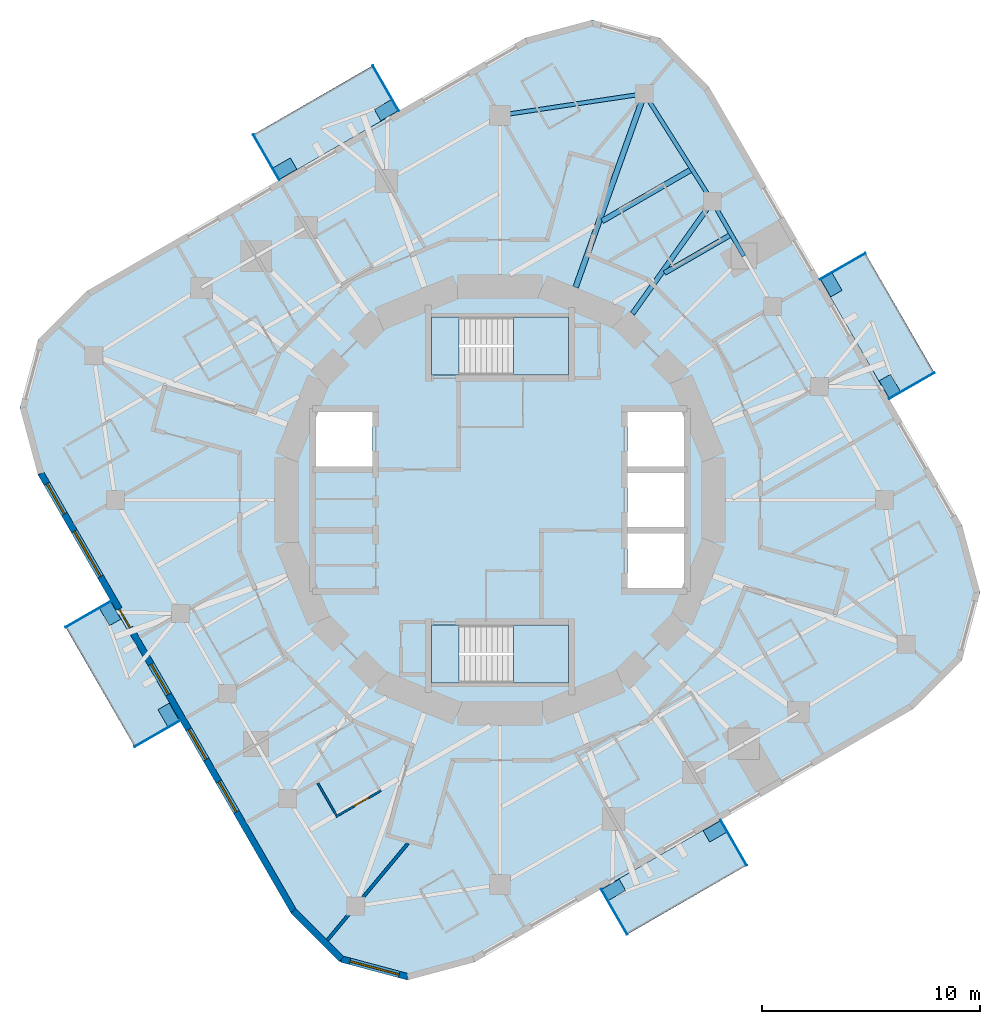
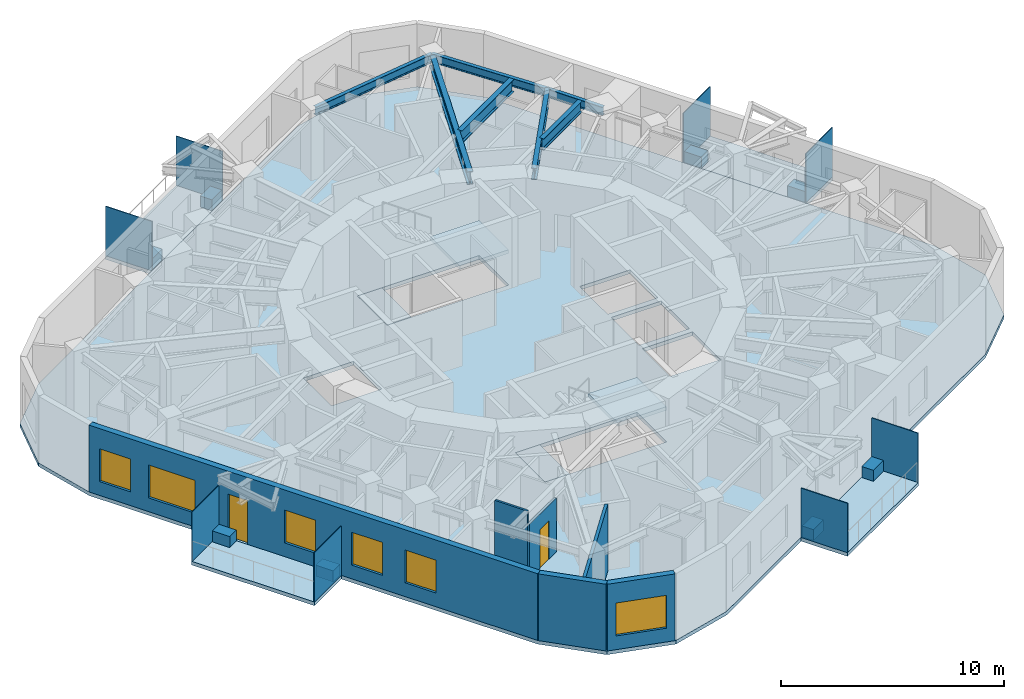
# One storey, part 3 of 11: 16 plates, 9 slabs, 7 beams, 6 walls, 6 windows, 2 doors, 8 openings, 2 elements without a shape of their own.
"""IFC4 building model written with IfcOpenShell, lengths in metres."""

from ifc_helpers import new_model, si_unit, direction, frame, frame_2d, origin, origin_2d, place, context, subcontext, project, spatial, polyline, rectangle, i_section, outline, extrude, material, layer, layer_set, material_profile, profile_set, type_object, element, fill, aggregate, save


model = new_model("IFC4")

# Units and contexts
model_context = context("Model", 3, precision=1e-05, world=origin(), true_north=direction((0.0, 1.0)))
body_context = subcontext(model_context, "Body", "Model", "MODEL_VIEW")
ifc_project = project(units=[si_unit("LENGTHUNIT", "METRE"), si_unit("AREAUNIT", "SQUARE_METRE"), si_unit("VOLUMEUNIT", "CUBIC_METRE"), si_unit("PLANEANGLEUNIT", "RADIAN"), si_unit("MASSUNIT", "GRAM", prefix="KILO")], contexts=[model_context])

# Site, building, storey
site_placement = place(None, origin())
site = spatial("IfcSite", under=ifc_project, at=site_placement, CompositionType="ELEMENT")
building_placement = place(site_placement, origin())
building = spatial("IfcBuilding", under=site, at=building_placement, Name="Nakasero Lantern House", CompositionType="ELEMENT")
storey_placement = place(building_placement, frame((0.0, 0.0, 238.5)))
storey = spatial("IfcBuildingStorey", under=building, at=storey_placement, Name="L58", CompositionType="ELEMENT", Elevation=238.5)

# Beams
ifc_material_1 = material(Name="Steel S355", Category="steel")
ifc_material_profile_1 = material_profile(ifc_material_1, i_section(OverallWidth=0.22900390625, OverallDepth=0.6123046875, WebThickness=0.011962890625, FlangeThickness=0.01953125, FilletRadius=0.0126953125, at=origin_2d()), Name="UB 610x229x125")
ifc_profile_set_1 = profile_set([ifc_material_profile_1], Name="Steel S355")
beam_type_1 = type_object("IfcBeamType", Name="Infill beam UB 610x229x125", PredefinedType="JOIST", material=ifc_profile_set_1)
beam_1_placement = place(storey_placement, frame((7.552001953125, 10.42236328125, 3.343994140625), z_axis=(0.866006607564, 0.500032554596, 0.0), x_axis=(-0.500032554596, 0.866006607564, 0.0)))
element("IfcBeam", 1, at=beam_1_placement, inside=storey, type_object=beam_type_1, Name="Infill beam L59 08.3", PredefinedType="JOIST", context=body_context, shape_type="SweptSolid", body=[
    extrude(i_section(OverallWidth=0.22900390625, OverallDepth=0.6123046875, WebThickness=0.011962890625, FlangeThickness=0.01953125, FilletRadius=0.0126953125, at=origin_2d()), origin(), (0.0, 0.0, 1.0), 3.452880859375),
])
ifc_material_2 = material(Name="Steel S355", Category="steel")
ifc_material_profile_2 = material_profile(ifc_material_2, i_section(OverallWidth=0.253662109375, OverallDepth=0.68359375, WebThickness=0.012451171875, FlangeThickness=0.01904296875, FilletRadius=0.01513671875, at=origin_2d()), Name="UB 686x254x140")
ifc_profile_set_2 = profile_set([ifc_material_profile_2], Name="Steel S355")
beam_type_2 = type_object("IfcBeamType", Name="Infill beam UB 686x254x140", PredefinedType="JOIST", material=ifc_profile_set_2)
beam_2_placement = place(storey_placement, frame((4.691162109375, 12.81201171875, 3.308349609375), z_axis=(0.866030607649, 0.499990986534, 0.0), x_axis=(-0.499990986534, 0.866030607649, 0.0)))
element("IfcBeam", 2, at=beam_2_placement, inside=storey, type_object=beam_type_2, Name="Infill beam L59 09.3", PredefinedType="JOIST", context=body_context, shape_type="SweptSolid", body=[
    extrude(i_section(OverallWidth=0.253662109375, OverallDepth=0.68359375, WebThickness=0.012451171875, FlangeThickness=0.01904296875, FilletRadius=0.01513671875, at=origin_2d()), origin(), (0.0, 0.0, 1.0), 4.66943359375),
])
ifc_material_3 = material(Name="Steel S355", Category="steel")
ifc_material_profile_3 = material_profile(ifc_material_3, i_section(OverallWidth=0.22900390625, OverallDepth=0.6123046875, WebThickness=0.011962890625, FlangeThickness=0.01953125, FilletRadius=0.0126953125, at=origin_2d()), Name="UB 610x229x125")
ifc_profile_set_3 = profile_set([ifc_material_profile_3], Name="Steel S355")
beam_type_3 = type_object("IfcBeamType", Name="Primary beam UB 610x229x125, span 6 to 9 m", PredefinedType="BEAM", material=ifc_profile_set_3)
beam_3_placement = place(storey_placement, frame((9.75048828125, 13.711669921875, 3.343994140625), z_axis=(-0.579504973637, -0.814968702178, 0.0), x_axis=(0.814968702178, -0.579504973637, 0.0)))
element("IfcBeam", 3, at=beam_3_placement, inside=storey, type_object=beam_type_3, Name="Primary beam L59 B6-C07", PredefinedType="BEAM", context=body_context, shape_type="SweptSolid", body=[
    extrude(i_section(OverallWidth=0.22900390625, OverallDepth=0.6123046875, WebThickness=0.011962890625, FlangeThickness=0.01953125, FilletRadius=0.0126953125, at=origin_2d()), origin(), (0.0, 0.0, 1.0), 6.320556640625),
])
ifc_material_4 = material(Name="Steel S355", Category="steel")
ifc_material_profile_4 = material_profile(ifc_material_4, i_section(OverallWidth=0.255859375, OverallDepth=0.69287109375, WebThickness=0.014404296875, FlangeThickness=0.023681640625, FilletRadius=0.01513671875, at=origin_2d()), Name="UB 686x254x170")
ifc_profile_set_4 = profile_set([ifc_material_profile_4], Name="Steel S355")
beam_type_4 = type_object("IfcBeamType", Name="Primary beam UB 686x254x170, span 9 to 12 m", PredefinedType="BEAM", material=ifc_profile_set_4)
beam_4_placement = place(storey_placement, frame((6.63525390625, 18.661376953125, 3.303466796875), z_axis=(-0.335006604588, -0.942215779364, 0.0), x_axis=(0.942215779364, -0.335006604588, 0.0)))
element("IfcBeam", 4, at=beam_4_placement, inside=storey, type_object=beam_type_4, Name="Primary beam L59 B6-C08", PredefinedType="BEAM", context=body_context, shape_type="SweptSolid", body=[
    extrude(i_section(OverallWidth=0.255859375, OverallDepth=0.69287109375, WebThickness=0.014404296875, FlangeThickness=0.023681640625, FilletRadius=0.01513671875, at=origin_2d()), origin(), (0.0, 0.0, 1.0), 9.4345703125),
])
ifc_material_5 = material(Name="Steel S355", Category="steel")
ifc_material_profile_5 = material_profile(ifc_material_5, i_section(OverallWidth=0.18994140625, OverallDepth=0.453369140625, WebThickness=0.008544921875, FlangeThickness=0.0126953125, FilletRadius=0.01025390625, at=origin_2d()), Name="UB 457x191x67")
ifc_profile_set_5 = profile_set([ifc_material_profile_5], Name="Steel S355")
beam_type_5 = type_object("IfcBeamType", Name="Ring beam UB 457x191x67", PredefinedType="BEAM", material=ifc_profile_set_5)
beam_5_placement = place(storey_placement, frame((9.75048828125, 13.711669921875, 3.42333984375), z_axis=(-0.532660471024, 0.846329027393, 0.0), x_axis=(-0.846329027393, -0.532660471024, 0.0)))
element("IfcBeam", 5, at=beam_5_placement, inside=storey, type_object=beam_type_5, Name="Ring beam L59 B6-C07", PredefinedType="BEAM", context=body_context, shape_type="SweptSolid", body=[
    extrude(i_section(OverallWidth=0.18994140625, OverallDepth=0.453369140625, WebThickness=0.008544921875, FlangeThickness=0.0126953125, FilletRadius=0.01025390625, at=origin_2d()), origin(), (0.0, 0.0, 1.0), 5.848388671875),
])
ifc_material_6 = material(Name="Steel S355", Category="steel")
ifc_material_profile_6 = material_profile(ifc_material_6, i_section(OverallWidth=0.19140625, OverallDepth=0.4599609375, WebThickness=0.010009765625, FlangeThickness=0.01611328125, FilletRadius=0.01025390625, at=origin_2d()), Name="UB 457x191x82")
ifc_profile_set_6 = profile_set([ifc_material_profile_6], Name="Steel S355")
beam_type_6 = type_object("IfcBeamType", Name="Ring beam UB 457x191x82", PredefinedType="BEAM", material=ifc_profile_set_6)
beam_6_placement = place(storey_placement, frame((11.200439453125, 11.200439453125, 3.419921875), z_axis=(-0.500023687443, 0.866011727401, 0.0), x_axis=(-0.866011727401, -0.500023687443, 0.0)))
element("IfcBeam", 6, at=beam_6_placement, inside=storey, type_object=beam_type_6, Name="Ring beam L59 B6-C06", PredefinedType="BEAM", context=body_context, shape_type="SweptSolid", body=[
    extrude(i_section(OverallWidth=0.19140625, OverallDepth=0.4599609375, WebThickness=0.010009765625, FlangeThickness=0.01611328125, FilletRadius=0.01025390625, at=origin_2d()), origin(), (0.0, 0.0, 1.0), 2.899658203125),
])
beam_7_placement = place(storey_placement, frame((6.63525390625, 18.661376953125, 3.419921875), z_axis=(-0.988956095107, -0.148208778253, 0.0), x_axis=(0.148208778253, -0.988956095107, 0.0)))
element("IfcBeam", 7, at=beam_7_placement, inside=storey, type_object=beam_type_6, Name="Ring beam L59 B6-C08", PredefinedType="BEAM", context=body_context, shape_type="SweptSolid", body=[
    extrude(i_section(OverallWidth=0.19140625, OverallDepth=0.4599609375, WebThickness=0.010009765625, FlangeThickness=0.01611328125, FilletRadius=0.01025390625, at=origin_2d()), origin(), (0.0, 0.0, 1.0), 6.70947265625),
])

# Plates
ifc_material_7 = material(Name="Aluminium 6063-T6", Category="aluminium")
ifc_layer_1 = layer(ifc_material_7, 0.60009765625)
ifc_layer_set_1 = layer_set([ifc_layer_1], Name="Balcony planter 600x900")
plate_type_1 = type_object("IfcPlateType", Name="Balcony planter 600x900", PredefinedType="USERDEFINED", material=ifc_layer_set_1)
for number, where, z_axis, x_axis, name in (
    (8, (17.901611328125, 5.2333984375, 0.0), (0.0, 0.0, 1.0), (0.866025403784, 0.5, 0.0), "Balcony PLANTER L58 BAL0A"),
    (9, (15.225830078125, 9.867919921875, 0.0), (0.0, 0.0, 1.0), (0.866025403784, 0.5, 0.0), "Balcony PLANTER L58 BAL0B"),
    (10, (-5.2333984375, 17.901611328125, 0.0), (0.0, 0.0, 1.0), (-0.5, 0.866025403784, 0.0), "Balcony PLANTER L58 BAL1A"),
    (11, (-9.867919921875, 15.225830078125, 0.0), (0.0, 0.0, 1.0), (-0.5, 0.866025403784, 0.0), "Balcony PLANTER L58 BAL1B"),
    (12, (-17.901611328125, -5.2333984375, 0.0), (0.0, 0.0, 1.0), (-0.866025403784, -0.5, 0.0), "Balcony PLANTER L58 BAL2A"),
    (13, (-15.225830078125, -9.867919921875, 0.0), (0.0, 0.0, 1.0), (-0.866025403784, -0.5, 0.0), "Balcony PLANTER L58 BAL2B"),
    (14, (5.2333984375, -17.901611328125, 0.0), (0.0, 0.0, 1.0), (0.5, -0.866025403784, 0.0), "Balcony PLANTER L58 BAL3A"),
    (15, (9.867919921875, -15.225830078125, 0.0), (0.0, 0.0, 1.0), (0.5, -0.866025403784, 0.0), "Balcony PLANTER L58 BAL3B"),
):
    element("IfcPlate", number, at=place(storey_placement, frame(where, z_axis=z_axis, x_axis=x_axis)), inside=storey, type_object=plate_type_1, Name=name, ObjectType="PLANTER", PredefinedType="USERDEFINED", context=body_context, shape_type="SweptSolid", body=[
        extrude(rectangle(XDim=0.60009765625, YDim=0.89990234375, at=origin_2d()), origin(), (0.0, 0.0, 1.0), 0.60009765625),
    ])
ifc_material_8 = material(Name="Aluminium 6063-T6", Category="aluminium")
ifc_layer_2 = layer(ifc_material_8, 0.0400390625)
ifc_layer_set_2 = layer_set([ifc_layer_2], Name="Balcony screen 2400x2700")
plate_type_2 = type_object("IfcPlateType", Name="Balcony screen 2400x2700", PredefinedType="SHEET", material=ifc_layer_set_2)
for number, where, z_axis, x_axis, name in (
    (16, (18.90869140625, 5.2490234375, 0.0), (0.0, 0.0, 1.0), (0.866025403784, 0.5, 0.0), "Balcony SCREEN L58 BAL0A"),
    (17, (15.7431640625, 10.732177734375, 0.0), (0.0, 0.0, 1.0), (0.866025403784, 0.5, 0.0), "Balcony SCREEN L58 BAL0B"),
    (18, (-5.2490234375, 18.90869140625, 0.0), (0.0, 0.0, 1.0), (-0.5, 0.866025403784, 0.0), "Balcony SCREEN L58 BAL1A"),
    (19, (-10.732177734375, 15.7431640625, 0.0), (0.0, 0.0, 1.0), (-0.5, 0.866025403784, 0.0), "Balcony SCREEN L58 BAL1B"),
    (20, (-18.90869140625, -5.2490234375, 0.0), (0.0, 0.0, 1.0), (-0.866025403784, -0.5, 0.0), "Balcony SCREEN L58 BAL2A"),
    (21, (-15.7431640625, -10.732177734375, 0.0), (0.0, 0.0, 1.0), (-0.866025403784, -0.5, 0.0), "Balcony SCREEN L58 BAL2B"),
    (22, (5.2490234375, -18.90869140625, 0.0), (0.0, 0.0, 1.0), (0.5, -0.866025403784, 0.0), "Balcony SCREEN L58 BAL3A"),
    (23, (10.732177734375, -15.7431640625, 0.0), (0.0, 0.0, 1.0), (0.5, -0.866025403784, 0.0), "Balcony SCREEN L58 BAL3B"),
):
    element("IfcPlate", number, at=place(storey_placement, frame(where, z_axis=z_axis, x_axis=x_axis)), inside=storey, type_object=plate_type_2, Name=name, PredefinedType="SHEET", context=body_context, shape_type="SweptSolid", body=[
        extrude(rectangle(XDim=2.39990234375, YDim=0.0400390625, at=origin_2d()), origin(), (0.0, 0.0, 1.0), 2.699951171875),
    ])

# Slabs
ifc_material_9 = material(Name="Concrete C35/45", Category="concrete")
ifc_layer_3 = layer(ifc_material_9, 0.199951171875)
ifc_layer_set_3 = layer_set([ifc_layer_3], Name="Balcony slab 200")
slab_type_1 = type_object("IfcSlabType", Name="Balcony slab 200", PredefinedType="USERDEFINED", material=ifc_layer_set_3)
slab_1_placement = place(storey_placement, frame((0.0, 0.0, -0.199951171875)))
element("IfcSlab", 24, at=slab_1_placement, inside=storey, type_object=slab_type_1, Name="Balcony L58 BAL0", ObjectType="BALCONY", PredefinedType="USERDEFINED", context=body_context, shape_type="SweptSolid", body=[
    extrude(outline(polyline([(17.879638671875, 4.6318359375), (19.9580078125, 5.831787109375), (16.772216796875, 11.349609375), (14.69384765625, 10.149658203125), (17.879638671875, 4.6318359375)])), origin(), (0.0, 0.0, 1.0), 0.199951171875),
])
slab_2_placement = place(storey_placement, frame((0.0, 0.0, -0.199951171875)))
element("IfcSlab", 25, at=slab_2_placement, inside=storey, type_object=slab_type_1, Name="Balcony L58 BAL1", ObjectType="BALCONY", PredefinedType="USERDEFINED", context=body_context, shape_type="SweptSolid", body=[
    extrude(outline(polyline([(-4.6318359375, 17.879638671875), (-5.831787109375, 19.9580078125), (-11.349609375, 16.772216796875), (-10.149658203125, 14.69384765625), (-4.6318359375, 17.879638671875)])), origin(), (0.0, 0.0, 1.0), 0.199951171875),
])
slab_3_placement = place(storey_placement, frame((0.0, 0.0, -0.199951171875)))
element("IfcSlab", 26, at=slab_3_placement, inside=storey, type_object=slab_type_1, Name="Balcony L58 BAL2", ObjectType="BALCONY", PredefinedType="USERDEFINED", context=body_context, shape_type="SweptSolid", body=[
    extrude(outline(polyline([(-17.879638671875, -4.6318359375), (-19.9580078125, -5.831787109375), (-16.772216796875, -11.349609375), (-14.69384765625, -10.149658203125), (-17.879638671875, -4.6318359375)])), origin(), (0.0, 0.0, 1.0), 0.199951171875),
])
slab_4_placement = place(storey_placement, frame((0.0, 0.0, -0.199951171875)))
element("IfcSlab", 27, at=slab_4_placement, inside=storey, type_object=slab_type_1, Name="Balcony L58 BAL3", ObjectType="BALCONY", PredefinedType="USERDEFINED", context=body_context, shape_type="SweptSolid", body=[
    extrude(outline(polyline([(4.6318359375, -17.879638671875), (5.831787109375, -19.9580078125), (11.349609375, -16.772216796875), (10.149658203125, -14.69384765625), (4.6318359375, -17.879638671875)])), origin(), (0.0, 0.0, 1.0), 0.199951171875),
])
ifc_material_10 = material(Name="Concrete C35/45", Category="concrete")
ifc_layer_4 = layer(ifc_material_10, 0.199951171875)
ifc_layer_set_4 = layer_set([ifc_layer_4], Name="Composite floor slab 200")
slab_type_2 = type_object("IfcSlabType", Name="Composite floor slab 200", PredefinedType="FLOOR", material=ifc_layer_set_4)
slab_5_placement = place(storey_placement, frame((0.0, 0.0, -0.199951171875)))
element("IfcSlab", 28, at=slab_5_placement, inside=storey, type_object=slab_type_2, Name="Floor slab L58", PredefinedType="FLOOR", context=body_context, shape_type="SweptSolid", body=[
    extrude(outline(polyline([(9.615234375, 18.94580078125), (7.345947265625, 21.21533203125), (4.245849609375, 22.0458984375), (1.14599609375, 21.21533203125), (-18.94580078125, 9.615234375), (-21.21533203125, 7.345947265625), (-22.0458984375, 4.245849609375), (-21.21533203125, 1.14599609375), (-9.615234375, -18.94580078125), (-7.345947265625, -21.21533203125), (-4.245849609375, -22.0458984375), (-1.14599609375, -21.21533203125), (18.94580078125, -9.615234375), (21.21533203125, -7.345947265625), (22.0458984375, -4.245849609375), (21.21533203125, -1.14599609375), (9.615234375, 18.94580078125)]), holes=[polyline([(-8.449951171875, 1.550048828125), (-5.85009765625, 1.550048828125), (-5.85009765625, 4.050048828125), (-8.449951171875, 4.050048828125), (-8.449951171875, 1.550048828125)]), polyline([(5.85009765625, -4.050048828125), (8.449951171875, -4.050048828125), (8.449951171875, -1.550048828125), (5.85009765625, -1.550048828125), (5.85009765625, -4.050048828125)]), polyline([(5.85009765625, -1.25), (8.449951171875, -1.25), (8.449951171875, 1.25), (5.85009765625, 1.25), (5.85009765625, -1.25)]), polyline([(5.85009765625, 1.550048828125), (8.449951171875, 1.550048828125), (8.449951171875, 4.050048828125), (5.85009765625, 4.050048828125), (5.85009765625, 1.550048828125)]), polyline([(-3.14990234375, 5.75), (3.14990234375, 5.75), (3.14990234375, 8.39990234375), (-3.14990234375, 8.39990234375), (-3.14990234375, 5.75)]), polyline([(-3.14990234375, -8.39990234375), (3.14990234375, -8.39990234375), (3.14990234375, -5.75), (-3.14990234375, -5.75), (-3.14990234375, -8.39990234375)])]), origin(), (0.0, 0.0, 1.0), 0.199951171875),
])

# Stair, slabs
ifc_material_11 = material(Name="Concrete C40/50", Category="concrete")
stair_type_1 = type_object("IfcStairType", Name="Escape stair ST1 22 risers", PredefinedType="HALF_TURN_STAIR", material=ifc_material_11)
stair_1_placement = place(storey_placement, origin())
stair_1 = element("IfcStair", 29, at=stair_1_placement, inside=storey, type_object=stair_type_1, Name="Escape stair ST1 L58", PredefinedType="HALF_TURN_STAIR")
ifc_material_12 = material(Name="Concrete C40/50", Category="concrete")
ifc_layer_5 = layer(ifc_material_12, 0.199951171875)
ifc_layer_set_5 = layer_set([ifc_layer_5], Name="Stair landing 200")
slab_type_3 = type_object("IfcSlabType", Name="Stair landing 200", PredefinedType="LANDING", material=ifc_layer_set_5)
slab_6_placement = place(storey_placement, frame((0.0, 0.0, -0.199951171875)))
slab_6 = element("IfcSlab", 30, at=slab_6_placement, type_object=slab_type_3, Name="ST1 landing 1", PredefinedType="LANDING", context=body_context, shape_type="SweptSolid", body=[
    extrude(outline(polyline([(-3.14990234375, 5.75), (-1.875, 5.75), (-1.875, 8.39990234375), (-3.14990234375, 8.39990234375), (-3.14990234375, 5.75)])), origin(), (0.0, 0.0, 1.0), 0.199951171875),
])
slab_7_placement = place(storey_placement, frame((0.0, 0.0, 1.72509765625)))
slab_7 = element("IfcSlab", 31, at=slab_7_placement, type_object=slab_type_3, Name="ST1 landing 2", PredefinedType="LANDING", context=body_context, shape_type="SweptSolid", body=[
    extrude(outline(polyline([(0.625, 5.75), (3.14990234375, 5.75), (3.14990234375, 8.39990234375), (0.625, 8.39990234375), (0.625, 5.75)])), origin(), (0.0, 0.0, 1.0), 0.199951171875),
])
aggregate(stair_1, [slab_6, slab_7])

ifc_material_13 = material(Name="Concrete C40/50", Category="concrete")
stair_type_2 = type_object("IfcStairType", Name="Escape stair ST2 22 risers", PredefinedType="HALF_TURN_STAIR", material=ifc_material_13)
stair_2_placement = place(storey_placement, origin())
stair_2 = element("IfcStair", 32, at=stair_2_placement, inside=storey, type_object=stair_type_2, Name="Escape stair ST2 L58", PredefinedType="HALF_TURN_STAIR")
slab_8_placement = place(storey_placement, frame((0.0, 0.0, -0.199951171875)))
slab_8 = element("IfcSlab", 33, at=slab_8_placement, type_object=slab_type_3, Name="ST2 landing 1", PredefinedType="LANDING", context=body_context, shape_type="SweptSolid", body=[
    extrude(outline(polyline([(-3.14990234375, -8.39990234375), (-1.875, -8.39990234375), (-1.875, -5.75), (-3.14990234375, -5.75), (-3.14990234375, -8.39990234375)])), origin(), (0.0, 0.0, 1.0), 0.199951171875),
])
slab_9_placement = place(storey_placement, frame((0.0, 0.0, 1.72509765625)))
slab_9 = element("IfcSlab", 34, at=slab_9_placement, type_object=slab_type_3, Name="ST2 landing 2", PredefinedType="LANDING", context=body_context, shape_type="SweptSolid", body=[
    extrude(outline(polyline([(0.625, -8.39990234375), (3.14990234375, -8.39990234375), (3.14990234375, -5.75), (0.625, -5.75), (0.625, -8.39990234375)])), origin(), (0.0, 0.0, 1.0), 0.199951171875),
])
aggregate(stair_2, [slab_8, slab_9])

# Wall, opening, door
ifc_material_14 = material(Name="Blockwork", Category="masonry")
ifc_layer_6 = layer(ifc_material_14, 0.10009765625)
ifc_layer_set_6 = layer_set([ifc_layer_6], Name="En-suite wall 100")
wall_type_1 = type_object("IfcWallType", Name="En-suite wall 100", PredefinedType="PARTITIONING", material=ifc_layer_set_6)
wall_1_placement = place(storey_placement, frame((-5.46044921875, -13.342041015625, 0.0), z_axis=(0.0, 0.0, 1.0), x_axis=(-0.866006032174, -0.500033551112, 0.0)))
wall_1 = element("IfcWall", 35, at=wall_1_placement, inside=storey, type_object=wall_type_1, Name="En-suite wall L58 ES2-06", PredefinedType="PARTITIONING", context=body_context, shape_type="SweptSolid", body=[
    extrude(rectangle(XDim=2.400146484375, YDim=0.10009765625, at=frame_2d((1.2001953125, 0.0))), origin(), (0.0, 0.0, 1.0), 2.966552734375),
])
opening_1_placement = place(wall_1_placement, frame((0.64990234375, 0.0, 0.0)))
opening_1 = element("IfcOpeningElement", 36, at=opening_1_placement, cuts=wall_1, Name="Opening D02", PredefinedType="OPENING", context=body_context, shape_type="SweptSolid", body=[
    extrude(rectangle(XDim=0.800048828125, YDim=2.10009765625, at=frame_2d((0.39990234375, 1.050048828125))), frame((0.0, 0.070068359375, 0.0), z_axis=(0.0, -1.0, 0.0), x_axis=(1.0, 0.0, 0.0)), (0.0, 0.0, 1.0), 0.14013671875),
])
ifc_material_15 = material(Name="Timber C24", Category="wood")
door_type_1 = type_object("IfcDoorType", Name="En-suite door 800", OperationType="SINGLE_SWING_RIGHT", PredefinedType="DOOR", material=ifc_material_15)
door_1_placement = place(opening_1_placement, origin())
door_1 = element("IfcDoor", 37, at=door_1_placement, inside=storey, type_object=door_type_1, Name="Door L58 DE2-06", OperationType="SINGLE_SWING_LEFT", OverallHeight=2.10009765625, OverallWidth=0.800048828125, PredefinedType="DOOR", context=body_context, shape_type="SweptSolid", body=[
    extrude(rectangle(XDim=0.800048828125, YDim=2.10009765625, at=frame_2d((0.39990234375, 1.050048828125))), frame((0.0, 0.02490234375, 0.0), z_axis=(0.0, -1.0, 0.0), x_axis=(1.0, 0.0, 0.0)), (0.0, 0.0, 1.0), 0.050048828125),
])
fill(opening_1, door_1)

# Wall
wall_2_placement = place(storey_placement, frame((-8.37060546875, -13.001708984375, 0.0), z_axis=(0.0, 0.0, 1.0), x_axis=(0.499954529098, -0.86605165483, 0.0)))
element("IfcWall", 38, at=wall_2_placement, inside=storey, type_object=wall_type_1, Name="En-suite wall L58 EE2-06", PredefinedType="PARTITIONING", context=body_context, shape_type="SweptSolid", body=[
    extrude(rectangle(XDim=1.699951171875, YDim=0.10009765625, at=frame_2d((0.85009765625, 0.0))), origin(), (0.0, 0.0, 1.0), 3.64990234375),
])

# Wall, openings, door, windows
ifc_material_16 = material(Name="Aluminium rainscreen on blockwork", Category="masonry")
ifc_layer_7 = layer(ifc_material_16, 0.300048828125)
ifc_layer_set_7 = layer_set([ifc_layer_7], Name="Facade wall 300")
wall_type_2 = type_object("IfcWallType", Name="Facade wall 300", PredefinedType="SOLIDWALL", material=ifc_layer_set_7)
wall_3_placement = place(storey_placement, frame((-21.08544921875, 1.220947265625, 0.0), z_axis=(0.0, 0.0, 1.0), x_axis=(0.500003016864, -0.86602366199, 0.0)))
wall_3 = element("IfcWall", 39, at=wall_3_placement, inside=storey, type_object=wall_type_2, Name="Facade wall L58 FW2S", PredefinedType="SOLIDWALL", context=body_context, shape_type="SweptSolid", body=[
    extrude(rectangle(XDim=23.199951171875, YDim=0.300048828125, at=frame_2d((11.60009765625, 0.0))), origin(), (0.0, 0.0, 1.0), 3.64990234375),
])
opening_2_placement = place(wall_3_placement, frame((0.5458984375, 0.0, 0.75)))
opening_2 = element("IfcOpeningElement", 40, at=opening_2_placement, cuts=wall_3, Name="Opening W01", PredefinedType="OPENING", context=body_context, shape_type="SweptSolid", body=[
    extrude(rectangle(XDim=1.60009765625, YDim=1.800048828125, at=frame_2d((0.800048828125, 0.89990234375))), frame((0.0, 0.169921875, 0.0), z_axis=(0.0, -1.0, 0.0), x_axis=(1.0, 0.0, 0.0)), (0.0, 0.0, 1.0), 0.340087890625),
])
opening_3_placement = place(wall_3_placement, frame((10.11767578125, 0.0, 0.75)))
opening_3 = element("IfcOpeningElement", 41, at=opening_3_placement, cuts=wall_3, Name="Opening W01", PredefinedType="OPENING", context=body_context, shape_type="SweptSolid", body=[
    extrude(rectangle(XDim=1.60009765625, YDim=1.800048828125, at=frame_2d((0.800048828125, 0.89990234375))), frame((0.0, 0.169921875, 0.0), z_axis=(0.0, -1.0, 0.0), x_axis=(1.0, 0.0, 0.0)), (0.0, 0.0, 1.0), 0.340087890625),
])
opening_4_placement = place(wall_3_placement, frame((13.5751953125, 0.0, 0.75)))
opening_4 = element("IfcOpeningElement", 42, at=opening_4_placement, cuts=wall_3, Name="Opening W01", PredefinedType="OPENING", context=body_context, shape_type="SweptSolid", body=[
    extrude(rectangle(XDim=1.60009765625, YDim=1.800048828125, at=frame_2d((0.800048828125, 0.89990234375))), frame((0.0, 0.169921875, 0.0), z_axis=(0.0, -1.0, 0.0), x_axis=(1.0, 0.0, 0.0)), (0.0, 0.0, 1.0), 0.340087890625),
])
opening_5_placement = place(wall_3_placement, frame((16.349609375, 0.0, 0.75)))
opening_5 = element("IfcOpeningElement", 43, at=opening_5_placement, cuts=wall_3, Name="Opening W01", PredefinedType="OPENING", context=body_context, shape_type="SweptSolid", body=[
    extrude(rectangle(XDim=1.60009765625, YDim=1.800048828125, at=frame_2d((0.800048828125, 0.89990234375))), frame((0.0, 0.169921875, 0.0), z_axis=(0.0, -1.0, 0.0), x_axis=(1.0, 0.0, 0.0)), (0.0, 0.0, 1.0), 0.340087890625),
])
opening_6_placement = place(wall_3_placement, frame((3.071044921875, 0.0, 0.75)))
opening_6 = element("IfcOpeningElement", 44, at=opening_6_placement, cuts=wall_3, Name="Opening W03", PredefinedType="OPENING", context=body_context, shape_type="SweptSolid", body=[
    extrude(rectangle(XDim=2.39990234375, YDim=1.800048828125, at=frame_2d((1.199951171875, 0.89990234375))), frame((0.0, 0.169921875, 0.0), z_axis=(0.0, -1.0, 0.0), x_axis=(1.0, 0.0, 0.0)), (0.0, 0.0, 1.0), 0.340087890625),
])
opening_7_placement = place(wall_3_placement, frame((7.1904296875, 0.0, 0.0)))
opening_7 = element("IfcOpeningElement", 45, at=opening_7_placement, cuts=wall_3, Name="Opening D04", PredefinedType="OPENING", context=body_context, shape_type="SweptSolid", body=[
    extrude(rectangle(XDim=1.0, YDim=2.39990234375, at=frame_2d((0.5, 1.199951171875))), frame((0.0, 0.169921875, 0.0), z_axis=(0.0, -1.0, 0.0), x_axis=(1.0, 0.0, 0.0)), (0.0, 0.0, 1.0), 0.340087890625),
])
ifc_material_17 = material(Name="Aluminium 6063-T6 and glass", Category="aluminium")
door_type_2 = type_object("IfcDoorType", Name="Balcony door 1000x2400", OperationType="SINGLE_SWING_RIGHT", PredefinedType="DOOR", material=ifc_material_17)
door_2_placement = place(opening_7_placement, origin())
door_2 = element("IfcDoor", 46, at=door_2_placement, inside=storey, type_object=door_type_2, Name="Balcony door L58 DB2", OperationType="SINGLE_SWING_RIGHT", OverallHeight=2.39990234375, OverallWidth=1.0, PredefinedType="DOOR", context=body_context, shape_type="SweptSolid", body=[
    extrude(rectangle(XDim=1.0, YDim=2.39990234375, at=frame_2d((0.5, 1.199951171875))), frame((0.0, 0.02490234375, 0.0), z_axis=(0.0, -1.0, 0.0), x_axis=(1.0, 0.0, 0.0)), (0.0, 0.0, 1.0), 0.050048828125),
])
fill(opening_7, door_2)
ifc_material_18 = material(Name="Aluminium 6063-T6 and glass", Category="aluminium")
window_type_1 = type_object("IfcWindowType", Name="Bedroom window 1600x1800", PartitioningType="SINGLE_PANEL", PredefinedType="WINDOW", material=ifc_material_18)
window_1_placement = place(opening_2_placement, origin())
window_1 = element("IfcWindow", 47, at=window_1_placement, inside=storey, type_object=window_type_1, Name="Window L58 WN2-00", OverallHeight=1.800048828125, OverallWidth=1.60009765625, PartitioningType="SINGLE_PANEL", PredefinedType="WINDOW", context=body_context, shape_type="SweptSolid", body=[
    extrude(rectangle(XDim=1.60009765625, YDim=1.800048828125, at=frame_2d((0.800048828125, 0.89990234375))), frame((0.0, 0.030029296875, 0.0), z_axis=(0.0, -1.0, 0.0), x_axis=(1.0, 0.0, 0.0)), (0.0, 0.0, 1.0), 0.06005859375),
])
fill(opening_2, window_1)
window_2_placement = place(opening_3_placement, origin())
window_2 = element("IfcWindow", 48, at=window_2_placement, inside=storey, type_object=window_type_1, Name="Window L58 WN2-03", OverallHeight=1.800048828125, OverallWidth=1.60009765625, PartitioningType="SINGLE_PANEL", PredefinedType="WINDOW", context=body_context, shape_type="SweptSolid", body=[
    extrude(rectangle(XDim=1.60009765625, YDim=1.800048828125, at=frame_2d((0.800048828125, 0.89990234375))), frame((0.0, 0.030029296875, 0.0), z_axis=(0.0, -1.0, 0.0), x_axis=(1.0, 0.0, 0.0)), (0.0, 0.0, 1.0), 0.06005859375),
])
fill(opening_3, window_2)
window_3_placement = place(opening_4_placement, origin())
window_3 = element("IfcWindow", 49, at=window_3_placement, inside=storey, type_object=window_type_1, Name="Window L58 WN2-04", OverallHeight=1.800048828125, OverallWidth=1.60009765625, PartitioningType="SINGLE_PANEL", PredefinedType="WINDOW", context=body_context, shape_type="SweptSolid", body=[
    extrude(rectangle(XDim=1.60009765625, YDim=1.800048828125, at=frame_2d((0.800048828125, 0.89990234375))), frame((0.0, 0.030029296875, 0.0), z_axis=(0.0, -1.0, 0.0), x_axis=(1.0, 0.0, 0.0)), (0.0, 0.0, 1.0), 0.06005859375),
])
fill(opening_4, window_3)
window_4_placement = place(opening_5_placement, origin())
window_4 = element("IfcWindow", 50, at=window_4_placement, inside=storey, type_object=window_type_1, Name="Window L58 WN2-05", OverallHeight=1.800048828125, OverallWidth=1.60009765625, PartitioningType="SINGLE_PANEL", PredefinedType="WINDOW", context=body_context, shape_type="SweptSolid", body=[
    extrude(rectangle(XDim=1.60009765625, YDim=1.800048828125, at=frame_2d((0.800048828125, 0.89990234375))), frame((0.0, 0.030029296875, 0.0), z_axis=(0.0, -1.0, 0.0), x_axis=(1.0, 0.0, 0.0)), (0.0, 0.0, 1.0), 0.06005859375),
])
fill(opening_5, window_4)
ifc_material_19 = material(Name="Aluminium 6063-T6 and glass", Category="aluminium")
window_type_2 = type_object("IfcWindowType", Name="Lounge window 2400x1800", PartitioningType="SINGLE_PANEL", PredefinedType="WINDOW", material=ifc_material_19)
window_5_placement = place(opening_6_placement, origin())
window_5 = element("IfcWindow", 51, at=window_5_placement, inside=storey, type_object=window_type_2, Name="Window L58 WK2", OverallHeight=1.800048828125, OverallWidth=2.39990234375, PartitioningType="SINGLE_PANEL", PredefinedType="WINDOW", context=body_context, shape_type="SweptSolid", body=[
    extrude(rectangle(XDim=2.39990234375, YDim=1.800048828125, at=frame_2d((1.199951171875, 0.89990234375))), frame((0.0, 0.030029296875, 0.0), z_axis=(0.0, -1.0, 0.0), x_axis=(1.0, 0.0, 0.0)), (0.0, 0.0, 1.0), 0.06005859375),
])
fill(opening_6, window_5)

# Wall
wall_4_placement = place(storey_placement, frame((-9.4853515625, -18.870849609375, 0.0), z_axis=(0.0, 0.0, 1.0), x_axis=(0.707067801733, -0.707145758492, 0.0)))
element("IfcWall", 52, at=wall_4_placement, inside=storey, type_object=wall_type_2, Name="Facade wall L58 FW2C1", PredefinedType="SOLIDWALL", context=body_context, shape_type="SweptSolid", body=[
    extrude(rectangle(XDim=3.1318359375, YDim=0.300048828125, at=frame_2d((1.56591796875, 0.0))), origin(), (0.0, 0.0, 1.0), 3.64990234375),
])

# Wall, opening, window
wall_5_placement = place(storey_placement, frame((-7.27099609375, -21.08544921875, 0.0), z_axis=(0.0, 0.0, 1.0), x_axis=(0.965928914048, -0.258807521156, 0.0)))
wall_5 = element("IfcWall", 53, at=wall_5_placement, inside=storey, type_object=wall_type_2, Name="Facade wall L58 FW2C2", PredefinedType="SOLIDWALL", context=body_context, shape_type="SweptSolid", body=[
    extrude(rectangle(XDim=3.1318359375, YDim=0.300048828125, at=frame_2d((1.56591796875, 0.0))), origin(), (0.0, 0.0, 1.0), 3.64990234375),
])
opening_8_placement = place(wall_5_placement, frame((0.39990234375, 0.0, 0.75)))
opening_8 = element("IfcOpeningElement", 54, at=opening_8_placement, cuts=wall_5, Name="Opening W223", PredefinedType="OPENING", context=body_context, shape_type="SweptSolid", body=[
    extrude(rectangle(XDim=2.33203125, YDim=1.800048828125, at=frame_2d((1.166015625, 0.89990234375))), frame((0.0, 0.169921875, 0.0), z_axis=(0.0, -1.0, 0.0), x_axis=(1.0, 0.0, 0.0)), (0.0, 0.0, 1.0), 0.340087890625),
])
ifc_material_20 = material(Name="Aluminium 6063-T6 and glass", Category="aluminium")
window_type_3 = type_object("IfcWindowType", Name="Corner window 2332x1800", PartitioningType="SINGLE_PANEL", PredefinedType="WINDOW", material=ifc_material_20)
window_6_placement = place(opening_8_placement, origin())
window_6 = element("IfcWindow", 55, at=window_6_placement, inside=storey, type_object=window_type_3, Name="Window L58 WC2", OverallHeight=1.800048828125, OverallWidth=2.33203125, PartitioningType="SINGLE_PANEL", PredefinedType="WINDOW", context=body_context, shape_type="SweptSolid", body=[
    extrude(rectangle(XDim=2.33203125, YDim=1.800048828125, at=frame_2d((1.166015625, 0.89990234375))), frame((0.0, 0.030029296875, 0.0), z_axis=(0.0, -1.0, 0.0), x_axis=(1.0, 0.0, 0.0)), (0.0, 0.0, 1.0), 0.06005859375),
])
fill(opening_8, window_6)

# Wall
ifc_material_21 = material(Name="Blockwork", Category="masonry")
ifc_layer_8 = layer(ifc_material_21, 0.14990234375)
ifc_layer_set_8 = layer_set([ifc_layer_8], Name="Party wall 150")
wall_type_3 = type_object("IfcWallType", Name="Party wall 150", PredefinedType="PARTITIONING", material=ifc_layer_set_8)
wall_6_placement = place(storey_placement, frame((-4.224853515625, -15.767578125, 0.0), z_axis=(0.0, 0.0, 1.0), x_axis=(-0.639993357533, -0.768380441131, 0.0)))
element("IfcWall", 56, at=wall_6_placement, inside=storey, type_object=wall_type_3, Name="Party wall L58 PW3-00", PredefinedType="PARTITIONING", context=body_context, shape_type="SweptSolid", body=[
    extrude(rectangle(XDim=5.78271484375, YDim=0.14990234375, at=frame_2d((2.891357421875, 0.0))), origin(), (0.0, 0.0, 1.0), 3.64990234375),
])

save(model, "model.ifc")
